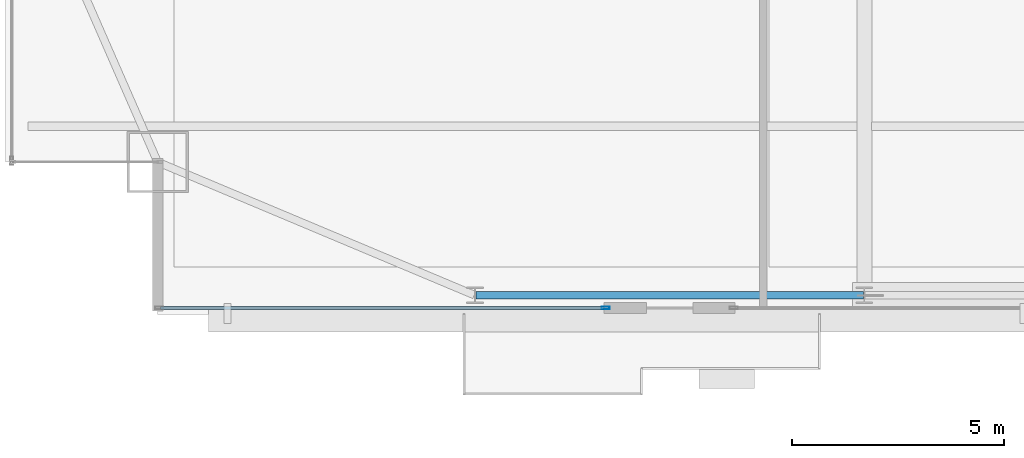
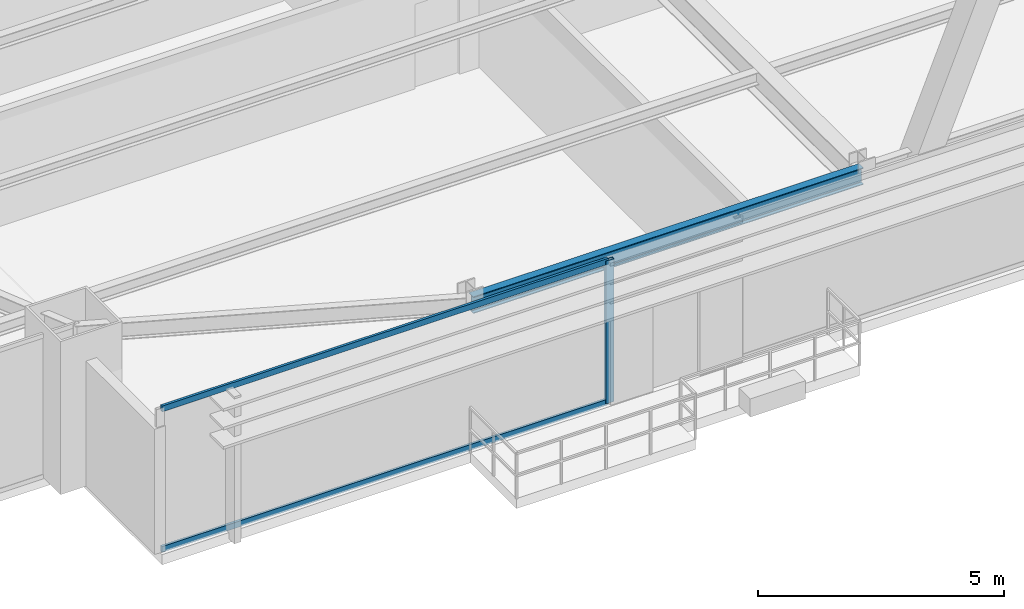
# One storey, part 4 of 38: 3 members, 1 beam, 1 element without a shape of its own.
"""IFC4 building model written with IfcOpenShell, lengths in metres."""

from ifc_helpers import new_model, si_unit, direction, frame, origin, origin_2d, place, context, subcontext, project, spatial, hollow_rectangle, i_section, extrude, source, transform, mapped, material, layer, layer_set, material_profile, profile_set, type_object, type_shapes, element, aggregate, save


model = new_model("IFC4")

# Units and contexts
model_context = context("Model", 3, precision=1e-05, world=origin(), true_north=direction((0.0, 1.0)))
body_context = subcontext(model_context, "Body", "Model", "MODEL_VIEW")
ifc_project = project(units=[si_unit("LENGTHUNIT", "METRE"), si_unit("AREAUNIT", "SQUARE_METRE"), si_unit("VOLUMEUNIT", "CUBIC_METRE"), si_unit("PLANEANGLEUNIT", "RADIAN"), si_unit("MASSUNIT", "GRAM", prefix="KILO")], contexts=[model_context])

# Site, building, storey
site_placement = place(None, origin())
site = spatial("IfcSite", under=ifc_project, at=site_placement, CompositionType="ELEMENT")
building_placement = place(site_placement, origin())
building = spatial("IfcBuilding", under=site, at=building_placement, Name="Varnel Quay Broadcast Tower", CompositionType="ELEMENT")
storey_placement = place(building_placement, frame((0.0, 0.0, 118.199951171875)))
storey = spatial("IfcBuildingStorey", under=building, at=storey_placement, Name="L28", CompositionType="ELEMENT", Elevation=118.199951171875)

# Beam
ifc_material_1 = material(Name="Structural Steel CSA G40.21 350W", Category="steel")
ifc_material_profile_1 = material_profile(ifc_material_1, i_section(OverallWidth=0.180908203125, OverallDepth=0.4169921875, WebThickness=0.010986328125, FlangeThickness=0.018310546875, FilletRadius=0.011962890625, at=origin_2d()), Name="W410X85")
ifc_profile_set_1 = profile_set([ifc_material_profile_1], Name="Structural Steel CSA G40.21 350W")
beam_type = type_object("IfcBeamType", Name="Beam_W410X85", PredefinedType="SPANDREL", material=ifc_profile_set_1)
shared_shape_1 = source(origin(), body_context, "Body", "SweptSolid", [
    extrude(i_section(OverallWidth=0.180908203125, OverallDepth=0.4169921875, WebThickness=0.010986328125, FlangeThickness=0.018310546875, FilletRadius=0.011962890625, at=origin_2d()), origin(), (0.0, 0.0, 1.0), 9.159912109375),
])
type_shapes(beam_type, [shared_shape_1])
beam_placement = place(storey_placement, frame((15.6201171875, 4.64990234375, 3.341552734375), z_axis=(1.0, 0.0, 0.0), x_axis=(0.0, 1.0, 0.0)))
element("IfcBeam", 1, at=beam_placement, inside=storey, type_object=beam_type, Name="L28 South Spandrel TC-S1-TC-S2", PredefinedType="SPANDREL", context=body_context, shape_type="MappedRepresentation", body=[
    mapped(shared_shape_1, transform((0.0, 0.0, 0.0), x_axis=(1.0, 0.0, 0.0), y_axis=(0.0, 1.0, 0.0), z_axis=(0.0, 0.0, 1.0), scale=1.0)),
])

# Curtain wall, members
ifc_material_2 = material(Name="Anodised Bronze Aluminium 6063-T6", Category="aluminium")
ifc_layer = layer(ifc_material_2, 0.18994140625, Name="Anodised Bronze Aluminium 6063-T6")
ifc_layer_set = layer_set([ifc_layer], Name="Anodised Bronze Aluminium 6063-T6")
curtain_wall_type = type_object("IfcCurtainWallType", Name="CW_LowerTower", PredefinedType="NOTDEFINED", material=ifc_layer_set)
curtain_wall_placement = place(storey_placement, origin())
curtain_wall = element("IfcCurtainWall", 2, at=curtain_wall_placement, inside=storey, type_object=curtain_wall_type, Name="L28 South Unitised Curtain Wall 1", PredefinedType="NOTDEFINED")
ifc_material_profile_2 = material_profile(ifc_material_2, hollow_rectangle(XDim=0.070068359375, YDim=0.18994140625, WallThickness=0.00390625, at=origin_2d()), Name="ALU70X190X4")
ifc_profile_set_2 = profile_set([ifc_material_profile_2], Name="Anodised Bronze Aluminium 6063-T6")
member_type_1 = type_object("IfcMemberType", Name="Mull_CWS-02", PredefinedType="MULLION", material=ifc_profile_set_2)
shared_shape_2 = source(origin(), body_context, "Body", "SweptSolid", [
    extrude(hollow_rectangle(XDim=0.070068359375, YDim=0.18994140625, WallThickness=0.00390625, at=origin_2d()), origin(), (0.0, 0.0, 1.0), 3.550048828125),
])
type_shapes(member_type_1, [shared_shape_2])
member_1_placement = place(storey_placement, frame((18.68505859375, 4.35009765625, 0.0), z_axis=(0.0, 0.0, 1.0), x_axis=(0.0, 1.0, 0.0)))
member_1 = element("IfcMember", 3, at=member_1_placement, type_object=member_type_1, Name="CWS-02 mullion 2", PredefinedType="MULLION", context=body_context, shape_type="MappedRepresentation", body=[
    mapped(shared_shape_2, transform((0.0, 0.0, 0.0), x_axis=(1.0, 0.0, 0.0), y_axis=(0.0, 1.0, 0.0), z_axis=(0.0, 0.0, 1.0), scale=1.0)),
])
ifc_material_profile_3 = material_profile(ifc_material_2, hollow_rectangle(XDim=0.06005859375, YDim=0.14501953125, WallThickness=0.00341796875, at=origin_2d()), Name="ALU60X145X3.5")
ifc_profile_set_3 = profile_set([ifc_material_profile_3], Name="Anodised Bronze Aluminium 6063-T6")
member_type_2 = type_object("IfcMemberType", Name="Tran_CWS-02", PredefinedType="USERDEFINED", material=ifc_profile_set_3)
shared_shape_3 = source(origin(), body_context, "Body", "SweptSolid", [
    extrude(hollow_rectangle(XDim=0.06005859375, YDim=0.14501953125, WallThickness=0.00341796875, at=origin_2d()), origin(), (0.0, 0.0, 1.0), 10.47998046875),
])
type_shapes(member_type_2, [shared_shape_3])
member_2_placement = place(storey_placement, frame((8.169921875, 4.35009765625, 0.030029296875), z_axis=(1.0, 0.0, 0.0), x_axis=(0.0, 1.0, 0.0)))
member_2 = element("IfcMember", 4, at=member_2_placement, type_object=member_type_2, Name="CWS-02 transom 1.1", ObjectType="TRANSOM", PredefinedType="USERDEFINED", context=body_context, shape_type="MappedRepresentation", body=[
    mapped(shared_shape_3, transform((0.0, 0.0, 0.0), x_axis=(1.0, 0.0, 0.0), y_axis=(0.0, 1.0, 0.0), z_axis=(0.0, 0.0, 1.0), scale=1.0)),
])
member_3_placement = place(storey_placement, frame((8.169921875, 4.35009765625, 3.52001953125), z_axis=(1.0, 0.0, 0.0), x_axis=(0.0, 1.0, 0.0)))
member_3 = element("IfcMember", 5, at=member_3_placement, type_object=member_type_2, Name="CWS-02 transom 1.2", ObjectType="TRANSOM", PredefinedType="USERDEFINED", context=body_context, shape_type="MappedRepresentation", body=[
    mapped(shared_shape_3, transform((0.0, 0.0, 0.0), x_axis=(1.0, 0.0, 0.0), y_axis=(0.0, 1.0, 0.0), z_axis=(0.0, 0.0, 1.0), scale=1.0)),
])
aggregate(curtain_wall, [member_1, member_2, member_3])

save(model, "model.ifc")
